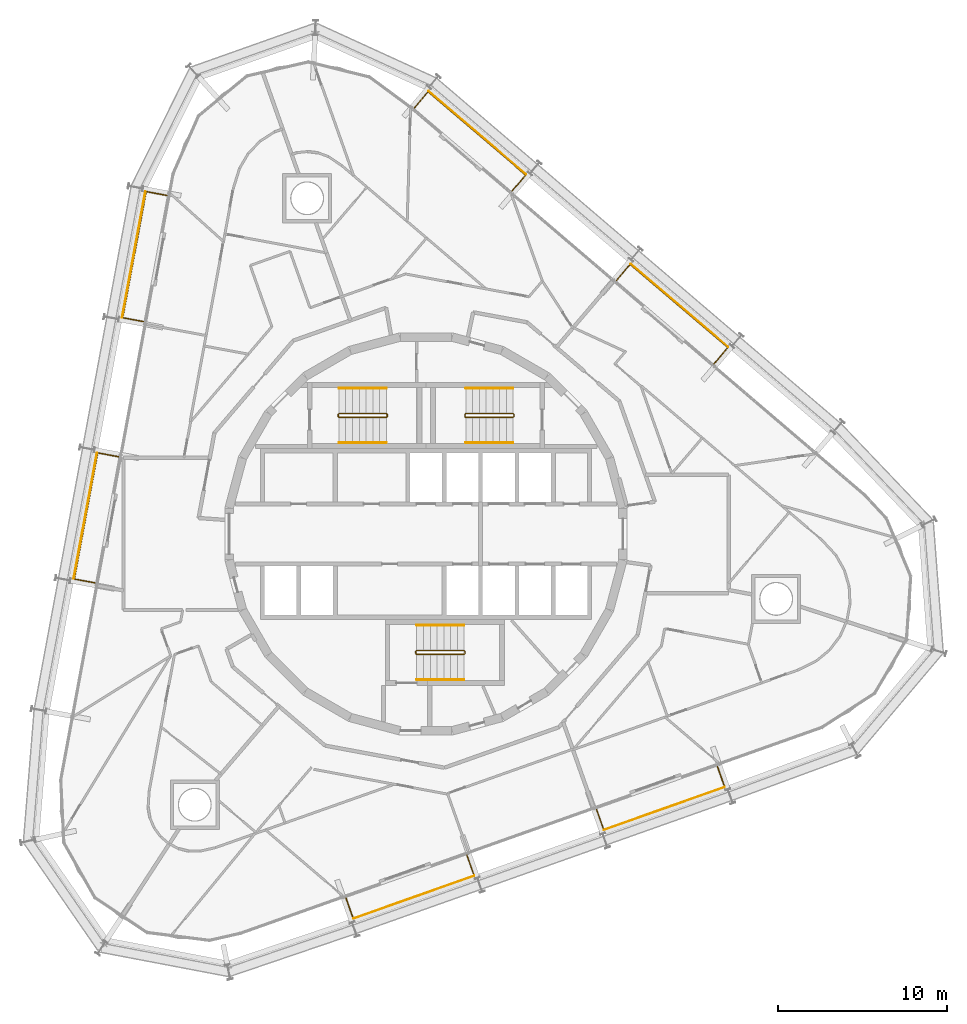
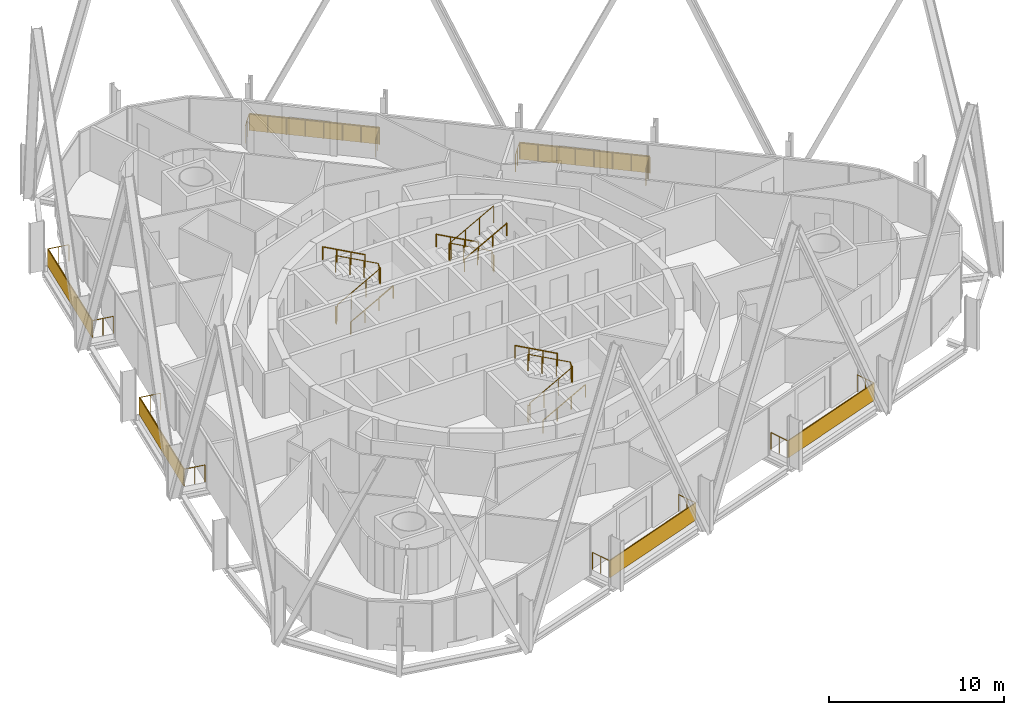
# One storey, part 17 of 17: 15 railings, 6 shading devices.
"""IFC4 building model written with IfcOpenShell, lengths in metres."""

from ifc_helpers import new_model, si_unit, direction, frame, origin, origin_2d, place, context, subcontext, project, spatial, rectangle, circle, extrude, material, layer, layer_set, type_object, element, save


model = new_model("IFC4")

# Units and contexts
model_context = context("Model", 3, precision=1e-05, world=origin(), true_north=direction((0.0, 1.0)))
body_context = subcontext(model_context, "Body", "Model", "MODEL_VIEW")
ifc_project = project(units=[si_unit("LENGTHUNIT", "METRE"), si_unit("AREAUNIT", "SQUARE_METRE"), si_unit("VOLUMEUNIT", "CUBIC_METRE"), si_unit("PLANEANGLEUNIT", "RADIAN"), si_unit("MASSUNIT", "GRAM", prefix="KILO")], contexts=[model_context])

# Site, building, storey
site_placement = place(None, origin())
site = spatial("IfcSite", under=ifc_project, at=site_placement, CompositionType="ELEMENT")
building_placement = place(site_placement, origin())
building = spatial("IfcBuilding", under=site, at=building_placement, Name="Spindle Arch Residences", CompositionType="ELEMENT")
storey_placement = place(building_placement, frame((0.0, 0.0, 165.699951171875)))
storey = spatial("IfcBuildingStorey", under=building, at=storey_placement, Name="L41", CompositionType="ELEMENT", Elevation=165.699951171875)

# Railings
ifc_material_1 = material(Name="Bronze anodised aluminium guard with glass infill", Category="aluminium")
railing_type_1 = type_object("IfcRailingType", Name="Balcony guard 1200", PredefinedType="GUARDRAIL", material=ifc_material_1)
railing_1_placement = place(storey_placement, frame((10.081787109375, -16.2919921875, 0.0)))
element("IfcRailing", 1, at=railing_1_placement, inside=storey, type_object=railing_type_1, Name="Guard L41 bay 1", PredefinedType="GUARDRAIL", context=body_context, shape_type="SweptSolid", body=[
    extrude(circle(Radius=0.02392578125, at=origin_2d()), frame((0.0, 0.0, 1.17578125), z_axis=(0.333749533427, -0.942661789263, 0.0), x_axis=(0.942661789263, 0.333749533427, 0.0)), (0.0, 0.0, 1.0), 1.250244140625),
    extrude(circle(Radius=0.02392578125, at=origin_2d()), frame((0.417236328125, -1.178466796875, 1.17578125), z_axis=(0.942639455571, 0.333812607313, 0.0), x_axis=(-0.333812607313, 0.942639455571, 0.0)), (0.0, 0.0, 1.0), 7.590087890625),
    extrude(circle(Radius=0.02392578125, at=origin_2d()), frame((7.572021484375, 1.355224609375, 1.17578125), z_axis=(-0.333984527886, 0.942578556478, 0.0), x_axis=(-0.942578556478, -0.333984527886, 0.0)), (0.0, 0.0, 1.0), 1.25),
    extrude(circle(Radius=0.02099609375, at=origin_2d()), origin(), (0.0, 0.0, 1.0), 1.15185546875),
    extrude(circle(Radius=0.02099609375, at=origin_2d()), frame((0.20849609375, -0.58935546875, 0.0)), (0.0, 0.0, 1.0), 1.15185546875),
    extrude(circle(Radius=0.02099609375, at=origin_2d()), frame((0.417236328125, -1.178466796875, 0.0)), (0.0, 0.0, 1.0), 1.15185546875),
    extrude(circle(Radius=0.02099609375, at=origin_2d()), frame((1.439453125, -0.81640625, 0.0)), (0.0, 0.0, 1.0), 1.15185546875),
    extrude(circle(Radius=0.02099609375, at=origin_2d()), frame((2.46142578125, -0.45458984375, 0.0)), (0.0, 0.0, 1.0), 1.15185546875),
    extrude(circle(Radius=0.02099609375, at=origin_2d()), frame((3.483642578125, -0.092529296875, 0.0)), (0.0, 0.0, 1.0), 1.15185546875),
    extrude(circle(Radius=0.02099609375, at=origin_2d()), frame((4.505615234375, 0.269287109375, 0.0)), (0.0, 0.0, 1.0), 1.15185546875),
    extrude(circle(Radius=0.02099609375, at=origin_2d()), frame((5.52783203125, 0.63134765625, 0.0)), (0.0, 0.0, 1.0), 1.15185546875),
    extrude(circle(Radius=0.02099609375, at=origin_2d()), frame((6.5498046875, 0.9931640625, 0.0)), (0.0, 0.0, 1.0), 1.15185546875),
    extrude(circle(Radius=0.02099609375, at=origin_2d()), frame((7.572021484375, 1.355224609375, 0.0)), (0.0, 0.0, 1.0), 1.15185546875),
    extrude(circle(Radius=0.02099609375, at=origin_2d()), frame((7.36328125, 1.9443359375, 0.0)), (0.0, 0.0, 1.0), 1.15185546875),
    extrude(circle(Radius=0.02099609375, at=origin_2d()), frame((7.154541015625, 2.533447265625, 0.0)), (0.0, 0.0, 1.0), 1.15185546875),
])
railing_2_placement = place(storey_placement, frame((17.03759765625, 10.07080078125, 0.0)))
element("IfcRailing", 2, at=railing_2_placement, inside=storey, type_object=railing_type_1, Name="Guard L41 bay 7", PredefinedType="GUARDRAIL", context=body_context, shape_type="SweptSolid", body=[
    extrude(circle(Radius=0.02392578125, at=origin_2d()), frame((0.0, 0.0, 1.17578125), z_axis=(0.64945526422, 0.760399802589, 0.0), x_axis=(-0.760399802589, 0.64945526422, 0.0)), (0.0, 0.0, 1.0), 1.25),
    extrude(circle(Radius=0.02392578125, at=origin_2d()), frame((0.811767578125, 0.950439453125, 1.17578125), z_axis=(-0.760397505333, 0.649457953899, 0.0), x_axis=(-0.649457953899, -0.760397505333, 0.0)), (0.0, 0.0, 1.0), 7.590087890625),
    extrude(circle(Radius=0.02392578125, at=origin_2d()), frame((-4.959716796875, 5.8798828125, 1.17578125), z_axis=(-0.64945526422, -0.760399802589, 0.0), x_axis=(0.760399802589, -0.64945526422, 0.0)), (0.0, 0.0, 1.0), 1.25),
    extrude(circle(Radius=0.02099609375, at=origin_2d()), origin(), (0.0, 0.0, 1.0), 1.15185546875),
    extrude(circle(Radius=0.02099609375, at=origin_2d()), frame((0.40576171875, 0.47509765625, 0.0)), (0.0, 0.0, 1.0), 1.15185546875),
    extrude(circle(Radius=0.02099609375, at=origin_2d()), frame((0.811767578125, 0.950439453125, 0.0)), (0.0, 0.0, 1.0), 1.15185546875),
    extrude(circle(Radius=0.02099609375, at=origin_2d()), frame((-0.0126953125, 1.654541015625, 0.0)), (0.0, 0.0, 1.0), 1.15185546875),
    extrude(circle(Radius=0.02099609375, at=origin_2d()), frame((-0.837158203125, 2.35888671875, 0.0)), (0.0, 0.0, 1.0), 1.15185546875),
    extrude(circle(Radius=0.02099609375, at=origin_2d()), frame((-1.66162109375, 3.06298828125, 0.0)), (0.0, 0.0, 1.0), 1.15185546875),
    extrude(circle(Radius=0.02099609375, at=origin_2d()), frame((-2.486328125, 3.767333984375, 0.0)), (0.0, 0.0, 1.0), 1.15185546875),
    extrude(circle(Radius=0.02099609375, at=origin_2d()), frame((-3.310791015625, 4.471435546875, 0.0)), (0.0, 0.0, 1.0), 1.15185546875),
    extrude(circle(Radius=0.02099609375, at=origin_2d()), frame((-4.13525390625, 5.17578125, 0.0)), (0.0, 0.0, 1.0), 1.15185546875),
    extrude(circle(Radius=0.02099609375, at=origin_2d()), frame((-4.959716796875, 5.8798828125, 0.0)), (0.0, 0.0, 1.0), 1.15185546875),
    extrude(circle(Radius=0.02099609375, at=origin_2d()), frame((-5.36572265625, 5.40478515625, 0.0)), (0.0, 0.0, 1.0), 1.15185546875),
    extrude(circle(Radius=0.02099609375, at=origin_2d()), frame((-5.771484375, 4.929443359375, 0.0)), (0.0, 0.0, 1.0), 1.15185546875),
])
railing_3_placement = place(storey_placement, frame((5.083984375, 20.2802734375, 0.0)))
element("IfcRailing", 3, at=railing_3_placement, inside=storey, type_object=railing_type_1, Name="Guard L41 bay 9", PredefinedType="GUARDRAIL", context=body_context, shape_type="SweptSolid", body=[
    extrude(circle(Radius=0.02392578125, at=origin_2d()), frame((0.0, 0.0, 1.17578125), z_axis=(0.64945526422, 0.760399802589, 0.0), x_axis=(-0.760399802589, 0.64945526422, 0.0)), (0.0, 0.0, 1.0), 1.25),
    extrude(circle(Radius=0.02392578125, at=origin_2d()), frame((0.811767578125, 0.950439453125, 1.17578125), z_axis=(-0.760397505333, 0.649457953899, 0.0), x_axis=(-0.649457953899, -0.760397505333, 0.0)), (0.0, 0.0, 1.0), 7.590087890625),
    extrude(circle(Radius=0.02392578125, at=origin_2d()), frame((-4.959716796875, 5.8798828125, 1.17578125), z_axis=(-0.649358812972, -0.760482170741, 0.0), x_axis=(0.760482170741, -0.649358812972, 0.0)), (0.0, 0.0, 1.0), 1.25),
    extrude(circle(Radius=0.02099609375, at=origin_2d()), origin(), (0.0, 0.0, 1.0), 1.15185546875),
    extrude(circle(Radius=0.02099609375, at=origin_2d()), frame((0.40576171875, 0.47509765625, 0.0)), (0.0, 0.0, 1.0), 1.15185546875),
    extrude(circle(Radius=0.02099609375, at=origin_2d()), frame((0.811767578125, 0.950439453125, 0.0)), (0.0, 0.0, 1.0), 1.15185546875),
    extrude(circle(Radius=0.02099609375, at=origin_2d()), frame((-0.0126953125, 1.654541015625, 0.0)), (0.0, 0.0, 1.0), 1.15185546875),
    extrude(circle(Radius=0.02099609375, at=origin_2d()), frame((-0.837158203125, 2.35888671875, 0.0)), (0.0, 0.0, 1.0), 1.15185546875),
    extrude(circle(Radius=0.02099609375, at=origin_2d()), frame((-1.66162109375, 3.06298828125, 0.0)), (0.0, 0.0, 1.0), 1.15185546875),
    extrude(circle(Radius=0.02099609375, at=origin_2d()), frame((-2.486328125, 3.767333984375, 0.0)), (0.0, 0.0, 1.0), 1.15185546875),
    extrude(circle(Radius=0.02099609375, at=origin_2d()), frame((-3.310791015625, 4.471435546875, 0.0)), (0.0, 0.0, 1.0), 1.15185546875),
    extrude(circle(Radius=0.02099609375, at=origin_2d()), frame((-4.13525390625, 5.17578125, 0.0)), (0.0, 0.0, 1.0), 1.15185546875),
    extrude(circle(Radius=0.02099609375, at=origin_2d()), frame((-4.959716796875, 5.8798828125, 0.0)), (0.0, 0.0, 1.0), 1.15185546875),
    extrude(circle(Radius=0.02099609375, at=origin_2d()), frame((-5.36572265625, 5.404541015625, 0.0)), (0.0, 0.0, 1.0), 1.15185546875),
    extrude(circle(Radius=0.02099609375, at=origin_2d()), frame((-5.771484375, 4.92919921875, 0.0)), (0.0, 0.0, 1.0), 1.15185546875),
])
railing_4_placement = place(storey_placement, frame((-15.33056640625, 20.024169921875, 0.0)))
element("IfcRailing", 4, at=railing_4_placement, inside=storey, type_object=railing_type_1, Name="Guard L41 bay 13", PredefinedType="GUARDRAIL", context=body_context, shape_type="SweptSolid", body=[
    extrude(circle(Radius=0.02392578125, at=origin_2d()), frame((0.0, 0.0, 1.17578125), z_axis=(-0.983254793894, 0.182236138797, 0.0), x_axis=(-0.182236138797, -0.983254793894, 0.0)), (0.0, 0.0, 1.0), 1.25),
    extrude(circle(Radius=0.02392578125, at=origin_2d()), frame((-1.22900390625, 0.227783203125, 1.17578125), z_axis=(-0.182252818169, -0.983251702398, 0.0), x_axis=(0.983251702398, -0.182252818169, 0.0)), (0.0, 0.0, 1.0), 7.590087890625),
    extrude(circle(Radius=0.02392578125, at=origin_2d()), frame((-2.6123046875, -7.235107421875, 1.17578125), z_axis=(0.983261278697, -0.182201146579, 0.0), x_axis=(0.182201146579, 0.983261278697, 0.0)), (0.0, 0.0, 1.0), 1.250244140625),
    extrude(circle(Radius=0.02099609375, at=origin_2d()), origin(), (0.0, 0.0, 1.0), 1.15185546875),
    extrude(circle(Radius=0.02099609375, at=origin_2d()), frame((-0.614501953125, 0.11376953125, 0.0)), (0.0, 0.0, 1.0), 1.15185546875),
    extrude(circle(Radius=0.02099609375, at=origin_2d()), frame((-1.22900390625, 0.227783203125, 0.0)), (0.0, 0.0, 1.0), 1.15185546875),
    extrude(circle(Radius=0.02099609375, at=origin_2d()), frame((-1.426513671875, -0.83837890625, 0.0)), (0.0, 0.0, 1.0), 1.15185546875),
    extrude(circle(Radius=0.02099609375, at=origin_2d()), frame((-1.624267578125, -1.904541015625, 0.0)), (0.0, 0.0, 1.0), 1.15185546875),
    extrude(circle(Radius=0.02099609375, at=origin_2d()), frame((-1.82177734375, -2.970703125, 0.0)), (0.0, 0.0, 1.0), 1.15185546875),
    extrude(circle(Radius=0.02099609375, at=origin_2d()), frame((-2.01953125, -4.03662109375, 0.0)), (0.0, 0.0, 1.0), 1.15185546875),
    extrude(circle(Radius=0.02099609375, at=origin_2d()), frame((-2.217041015625, -5.102783203125, 0.0)), (0.0, 0.0, 1.0), 1.15185546875),
    extrude(circle(Radius=0.02099609375, at=origin_2d()), frame((-2.414794921875, -6.1689453125, 0.0)), (0.0, 0.0, 1.0), 1.15185546875),
    extrude(circle(Radius=0.02099609375, at=origin_2d()), frame((-2.6123046875, -7.235107421875, 0.0)), (0.0, 0.0, 1.0), 1.15185546875),
    extrude(circle(Radius=0.02099609375, at=origin_2d()), frame((-1.99755859375, -7.34912109375, 0.0)), (0.0, 0.0, 1.0), 1.15185546875),
    extrude(circle(Radius=0.02099609375, at=origin_2d()), frame((-1.383056640625, -7.462890625, 0.0)), (0.0, 0.0, 1.0), 1.15185546875),
])
railing_5_placement = place(storey_placement, frame((-18.1953125, 4.5673828125, 0.0)))
element("IfcRailing", 5, at=railing_5_placement, inside=storey, type_object=railing_type_1, Name="Guard L41 bay 15", PredefinedType="GUARDRAIL", context=body_context, shape_type="SweptSolid", body=[
    extrude(circle(Radius=0.02392578125, at=origin_2d()), frame((0.0, 0.0, 1.17578125), z_axis=(-0.983254793894, 0.182236138797, 0.0), x_axis=(-0.182236138797, -0.983254793894, 0.0)), (0.0, 0.0, 1.0), 1.25),
    extrude(circle(Radius=0.02392578125, at=origin_2d()), frame((-1.22900390625, 0.227783203125, 1.17578125), z_axis=(-0.18224705418, -0.983252770778, 0.0), x_axis=(0.983252770778, -0.18224705418, 0.0)), (0.0, 0.0, 1.0), 7.59033203125),
    extrude(circle(Radius=0.02392578125, at=origin_2d()), frame((-2.6123046875, -7.2353515625, 1.17578125), z_axis=(0.983261278697, -0.182201146579, 0.0), x_axis=(0.182201146579, 0.983261278697, 0.0)), (0.0, 0.0, 1.0), 1.250244140625),
    extrude(circle(Radius=0.02099609375, at=origin_2d()), origin(), (0.0, 0.0, 1.0), 1.15185546875),
    extrude(circle(Radius=0.02099609375, at=origin_2d()), frame((-0.614501953125, 0.11376953125, 0.0)), (0.0, 0.0, 1.0), 1.15185546875),
    extrude(circle(Radius=0.02099609375, at=origin_2d()), frame((-1.22900390625, 0.227783203125, 0.0)), (0.0, 0.0, 1.0), 1.15185546875),
    extrude(circle(Radius=0.02099609375, at=origin_2d()), frame((-1.426513671875, -0.83837890625, 0.0)), (0.0, 0.0, 1.0), 1.15185546875),
    extrude(circle(Radius=0.02099609375, at=origin_2d()), frame((-1.624267578125, -1.904541015625, 0.0)), (0.0, 0.0, 1.0), 1.15185546875),
    extrude(circle(Radius=0.02099609375, at=origin_2d()), frame((-1.82177734375, -2.970703125, 0.0)), (0.0, 0.0, 1.0), 1.15185546875),
    extrude(circle(Radius=0.02099609375, at=origin_2d()), frame((-2.01953125, -4.036865234375, 0.0)), (0.0, 0.0, 1.0), 1.15185546875),
    extrude(circle(Radius=0.02099609375, at=origin_2d()), frame((-2.217041015625, -5.10302734375, 0.0)), (0.0, 0.0, 1.0), 1.15185546875),
    extrude(circle(Radius=0.02099609375, at=origin_2d()), frame((-2.414794921875, -6.169189453125, 0.0)), (0.0, 0.0, 1.0), 1.15185546875),
    extrude(circle(Radius=0.02099609375, at=origin_2d()), frame((-2.6123046875, -7.2353515625, 0.0)), (0.0, 0.0, 1.0), 1.15185546875),
    extrude(circle(Radius=0.02099609375, at=origin_2d()), frame((-1.99755859375, -7.34912109375, 0.0)), (0.0, 0.0, 1.0), 1.15185546875),
    extrude(circle(Radius=0.02099609375, at=origin_2d()), frame((-1.383056640625, -7.463134765625, 0.0)), (0.0, 0.0, 1.0), 1.15185546875),
])
railing_6_placement = place(storey_placement, frame((-4.73681640625, -21.53955078125, 0.0)))
element("IfcRailing", 6, at=railing_6_placement, inside=storey, type_object=railing_type_1, Name="Guard L41 bay 21", PredefinedType="GUARDRAIL", context=body_context, shape_type="SweptSolid", body=[
    extrude(circle(Radius=0.02392578125, at=origin_2d()), frame((0.0, 0.0, 1.17578125), z_axis=(0.333810984592, -0.942640030216, 0.0), x_axis=(0.942640030216, 0.333810984592, 0.0)), (0.0, 0.0, 1.0), 1.25),
    extrude(circle(Radius=0.02392578125, at=origin_2d()), frame((0.417236328125, -1.17822265625, 1.17578125), z_axis=(0.942649576572, 0.333784025663, 0.0), x_axis=(-0.333784025663, 0.942649576572, 0.0)), (0.0, 0.0, 1.0), 7.590087890625),
    extrude(circle(Radius=0.02392578125, at=origin_2d()), frame((7.572021484375, 1.355224609375, 1.17578125), z_axis=(-0.333749533427, 0.942661789263, 0.0), x_axis=(-0.942661789263, -0.333749533427, 0.0)), (0.0, 0.0, 1.0), 1.250244140625),
    extrude(circle(Radius=0.02099609375, at=origin_2d()), origin(), (0.0, 0.0, 1.0), 1.15185546875),
    extrude(circle(Radius=0.02099609375, at=origin_2d()), frame((0.20849609375, -0.589111328125, 0.0)), (0.0, 0.0, 1.0), 1.15185546875),
    extrude(circle(Radius=0.02099609375, at=origin_2d()), frame((0.417236328125, -1.17822265625, 0.0)), (0.0, 0.0, 1.0), 1.15185546875),
    extrude(circle(Radius=0.02099609375, at=origin_2d()), frame((1.439453125, -0.81640625, 0.0)), (0.0, 0.0, 1.0), 1.15185546875),
    extrude(circle(Radius=0.02099609375, at=origin_2d()), frame((2.46142578125, -0.454345703125, 0.0)), (0.0, 0.0, 1.0), 1.15185546875),
    extrude(circle(Radius=0.02099609375, at=origin_2d()), frame((3.483642578125, -0.092529296875, 0.0)), (0.0, 0.0, 1.0), 1.15185546875),
    extrude(circle(Radius=0.02099609375, at=origin_2d()), frame((4.505615234375, 0.26953125, 0.0)), (0.0, 0.0, 1.0), 1.15185546875),
    extrude(circle(Radius=0.02099609375, at=origin_2d()), frame((5.52783203125, 0.63134765625, 0.0)), (0.0, 0.0, 1.0), 1.15185546875),
    extrude(circle(Radius=0.02099609375, at=origin_2d()), frame((6.5498046875, 0.993408203125, 0.0)), (0.0, 0.0, 1.0), 1.15185546875),
    extrude(circle(Radius=0.02099609375, at=origin_2d()), frame((7.572021484375, 1.355224609375, 0.0)), (0.0, 0.0, 1.0), 1.15185546875),
    extrude(circle(Radius=0.02099609375, at=origin_2d()), frame((7.36328125, 1.9443359375, 0.0)), (0.0, 0.0, 1.0), 1.15185546875),
    extrude(circle(Radius=0.02099609375, at=origin_2d()), frame((7.15478515625, 2.53369140625, 0.0)), (0.0, 0.0, 1.0), 1.15185546875),
])

# Shading devices
ifc_material_2 = material(Name="Bronze perforated cobogo screen")
ifc_layer = layer(ifc_material_2, 0.0390625)
ifc_layer_set = layer_set([ifc_layer], Name="Cobogo screen 1200")
shading_device_type = type_object("IfcShadingDeviceType", Name="Cobogo screen 1200", PredefinedType="USERDEFINED", material=ifc_layer_set)
for number, where, z_axis, x_axis, name in (
    (7, (14.08984375, -16.24169921875, 0.0), (0.0, 0.0, 1.0), (0.942641491092, 0.333806859234, 0.0), "Cobogo screen L41 bay 1"),
    (8, (14.989990234375, 13.516845703125, 0.0), (0.0, 0.0, 1.0), (-0.7604059656, 0.64944804833, 0.0), "Cobogo screen L41 bay 7"),
    (9, (3.036376953125, 23.726318359375, 0.0), (0.0, 0.0, 1.0), (-0.7604059656, 0.64944804833, 0.0), "Cobogo screen L41 bay 9"),
    (10, (-17.291015625, 16.52783203125, 0.0), (0.0, 0.0, 1.0), (-0.182235525492, -0.983254907564, 0.0), "Cobogo screen L41 bay 13"),
    (11, (-20.15576171875, 1.071044921875, 0.0), (0.0, 0.0, 1.0), (-0.182235525492, -0.983254907564, 0.0), "Cobogo screen L41 bay 15"),
    (12, (-0.728515625, -21.4892578125, 0.0), (0.0, 0.0, 1.0), (0.942641491092, 0.333806859234, 0.0), "Cobogo screen L41 bay 21"),
):
    element("IfcShadingDevice", number, at=place(storey_placement, frame(where, z_axis=z_axis, x_axis=x_axis)), inside=storey, type_object=shading_device_type, Name=name, ObjectType="SCREEN", PredefinedType="USERDEFINED", context=body_context, shape_type="SweptSolid", body=[
        extrude(rectangle(XDim=7.590087890625, YDim=0.0390625, at=origin_2d()), origin(), (0.0, 0.0, 1.0), 1.199951171875),
    ])

# Railings
ifc_material_3 = material(Name="Steel, painted", Category="steel")
railing_type_2 = type_object("IfcRailingType", Name="Stair guard 1100", PredefinedType="GUARDRAIL", material=ifc_material_3)
railing_7_placement = place(storey_placement, frame((5.14990234375, 6.89990234375, 3.5)))
element("IfcRailing", 13, at=railing_7_placement, inside=storey, type_object=railing_type_2, Name="L41 ST1 stair guard 1", PredefinedType="GUARDRAIL", context=body_context, shape_type="SweptSolid", body=[
    extrude(circle(Radius=0.02392578125, at=origin_2d()), frame((0.0, 0.0, 1.17578125), z_axis=(-0.877357048833, 0.0, -0.479838106931), x_axis=(0.0, -1.0, 0.0)), (0.0, 0.0, 1.0), 3.191162109375),
    extrude(circle(Radius=0.02392578125, at=origin_2d()), frame((-2.7998046875, 0.0, -0.35546875), z_axis=(-0.217683172539, 0.217683172539, -0.951434744366), x_axis=(-0.707106781187, -0.707106781187, 0.0)), (0.0, 0.0, 1.0), 0.22998046875),
    extrude(circle(Radius=0.02392578125, at=origin_2d()), frame((-2.849853515625, 0.050048828125, -0.57421875), z_axis=(0.0, 1.0, 0.0), x_axis=(-1.0, 0.0, 0.0)), (0.0, 0.0, 1.0), 0.1201171875),
    extrude(circle(Radius=0.02392578125, at=origin_2d()), frame((-2.849853515625, 0.170166015625, -0.57421875), z_axis=(0.707106781187, 0.707106781187, 0.0), x_axis=(-0.707106781187, 0.707106781187, 0.0)), (0.0, 0.0, 1.0), 0.07080078125),
    extrude(circle(Radius=0.02392578125, at=origin_2d()), frame((-2.7998046875, 0.22021484375, -0.57421875), z_axis=(0.877357048833, 0.0, -0.479838106931), x_axis=(0.0, 1.0, 0.0)), (0.0, 0.0, 1.0), 3.191162109375),
    extrude(circle(Radius=0.02392578125, at=origin_2d()), frame((0.0, 0.22021484375, -2.10546875), z_axis=(0.217683172539, -0.217683172539, -0.951434744366), x_axis=(0.707106781187, 0.707106781187, 0.0)), (0.0, 0.0, 1.0), 0.22998046875),
    extrude(circle(Radius=0.02392578125, at=origin_2d()), frame((0.050048828125, 0.170166015625, -2.32421875), z_axis=(0.0, -1.0, 0.0), x_axis=(1.0, 0.0, 0.0)), (0.0, 0.0, 1.0), 0.1201171875),
    extrude(circle(Radius=0.02099609375, at=origin_2d()), origin(), (0.0, 0.0, 1.0), 1.15185546875),
    extrude(circle(Radius=0.02099609375, at=origin_2d()), frame((-0.933349609375, 0.0, -0.510498046875)), (0.0, 0.0, 1.0), 1.15185546875),
    extrude(circle(Radius=0.02099609375, at=origin_2d()), frame((-1.866455078125, 0.0, -1.020751953125)), (0.0, 0.0, 1.0), 1.15185546875),
    extrude(circle(Radius=0.02099609375, at=origin_2d()), frame((-2.7998046875, 0.0, -1.53125)), (0.0, 0.0, 1.0), 1.15185546875),
    extrude(circle(Radius=0.02099609375, at=origin_2d()), frame((-2.849853515625, 0.050048828125, -1.75)), (0.0, 0.0, 1.0), 1.15185546875),
    extrude(circle(Radius=0.02099609375, at=origin_2d()), frame((-2.849853515625, 0.170166015625, -1.75)), (0.0, 0.0, 1.0), 1.15185546875),
    extrude(circle(Radius=0.02099609375, at=origin_2d()), frame((-2.7998046875, 0.22021484375, -1.75)), (0.0, 0.0, 1.0), 1.15185546875),
    extrude(circle(Radius=0.02099609375, at=origin_2d()), frame((-1.866455078125, 0.22021484375, -2.260498046875)), (0.0, 0.0, 1.0), 1.15185546875),
    extrude(circle(Radius=0.02099609375, at=origin_2d()), frame((-0.933349609375, 0.22021484375, -2.770751953125)), (0.0, 0.0, 1.0), 1.15185546875),
    extrude(circle(Radius=0.02099609375, at=origin_2d()), frame((0.0, 0.22021484375, -3.28125)), (0.0, 0.0, 1.0), 1.15185546875),
    extrude(circle(Radius=0.02099609375, at=origin_2d()), frame((0.050048828125, 0.170166015625, -3.5)), (0.0, 0.0, 1.0), 1.15185546875),
    extrude(circle(Radius=0.02099609375, at=origin_2d()), frame((0.050048828125, 0.050048828125, -3.5)), (0.0, 0.0, 1.0), 1.15185546875),
])
railing_8_placement = place(storey_placement, frame((-5.14990234375, 7.1201171875, 3.5)))
element("IfcRailing", 14, at=railing_8_placement, inside=storey, type_object=railing_type_2, Name="L41 ST2 stair guard 1", PredefinedType="GUARDRAIL", context=body_context, shape_type="SweptSolid", body=[
    extrude(circle(Radius=0.02392578125, at=origin_2d()), frame((0.0, 0.0, 1.17578125), z_axis=(0.877357048833, 0.0, -0.479838106931), x_axis=(0.0, 1.0, 0.0)), (0.0, 0.0, 1.0), 3.191162109375),
    extrude(circle(Radius=0.02392578125, at=origin_2d()), frame((2.7998046875, 0.0, -0.35546875), z_axis=(0.217683172539, -0.217683172539, -0.951434744366), x_axis=(0.707106781187, 0.707106781187, 0.0)), (0.0, 0.0, 1.0), 0.22998046875),
    extrude(circle(Radius=0.02392578125, at=origin_2d()), frame((2.849853515625, -0.050048828125, -0.57421875), z_axis=(0.0, -1.0, 0.0), x_axis=(1.0, 0.0, 0.0)), (0.0, 0.0, 1.0), 0.1201171875),
    extrude(circle(Radius=0.02392578125, at=origin_2d()), frame((2.849853515625, -0.170166015625, -0.57421875), z_axis=(-0.707106781187, -0.707106781187, 0.0), x_axis=(0.707106781187, -0.707106781187, 0.0)), (0.0, 0.0, 1.0), 0.07080078125),
    extrude(circle(Radius=0.02392578125, at=origin_2d()), frame((2.7998046875, -0.22021484375, -0.57421875), z_axis=(-0.877357048833, 0.0, -0.479838106931), x_axis=(0.0, -1.0, 0.0)), (0.0, 0.0, 1.0), 3.191162109375),
    extrude(circle(Radius=0.02392578125, at=origin_2d()), frame((0.0, -0.22021484375, -2.10546875), z_axis=(-0.217683172539, 0.217683172539, -0.951434744366), x_axis=(-0.707106781187, -0.707106781187, 0.0)), (0.0, 0.0, 1.0), 0.22998046875),
    extrude(circle(Radius=0.02392578125, at=origin_2d()), frame((-0.050048828125, -0.170166015625, -2.32421875), z_axis=(0.0, 1.0, 0.0), x_axis=(-1.0, 0.0, 0.0)), (0.0, 0.0, 1.0), 0.1201171875),
    extrude(circle(Radius=0.02099609375, at=origin_2d()), origin(), (0.0, 0.0, 1.0), 1.15185546875),
    extrude(circle(Radius=0.02099609375, at=origin_2d()), frame((0.933349609375, 0.0, -0.510498046875)), (0.0, 0.0, 1.0), 1.15185546875),
    extrude(circle(Radius=0.02099609375, at=origin_2d()), frame((1.866455078125, 0.0, -1.020751953125)), (0.0, 0.0, 1.0), 1.15185546875),
    extrude(circle(Radius=0.02099609375, at=origin_2d()), frame((2.7998046875, 0.0, -1.53125)), (0.0, 0.0, 1.0), 1.15185546875),
    extrude(circle(Radius=0.02099609375, at=origin_2d()), frame((2.849853515625, -0.050048828125, -1.75)), (0.0, 0.0, 1.0), 1.15185546875),
    extrude(circle(Radius=0.02099609375, at=origin_2d()), frame((2.849853515625, -0.170166015625, -1.75)), (0.0, 0.0, 1.0), 1.15185546875),
    extrude(circle(Radius=0.02099609375, at=origin_2d()), frame((2.7998046875, -0.22021484375, -1.75)), (0.0, 0.0, 1.0), 1.15185546875),
    extrude(circle(Radius=0.02099609375, at=origin_2d()), frame((1.866455078125, -0.22021484375, -2.260498046875)), (0.0, 0.0, 1.0), 1.15185546875),
    extrude(circle(Radius=0.02099609375, at=origin_2d()), frame((0.933349609375, -0.22021484375, -2.770751953125)), (0.0, 0.0, 1.0), 1.15185546875),
    extrude(circle(Radius=0.02099609375, at=origin_2d()), frame((0.0, -0.22021484375, -3.28125)), (0.0, 0.0, 1.0), 1.15185546875),
    extrude(circle(Radius=0.02099609375, at=origin_2d()), frame((-0.050048828125, -0.170166015625, -3.5)), (0.0, 0.0, 1.0), 1.15185546875),
    extrude(circle(Radius=0.02099609375, at=origin_2d()), frame((-0.050048828125, -0.050048828125, -3.5)), (0.0, 0.0, 1.0), 1.15185546875),
])
railing_9_placement = place(storey_placement, frame((-0.550048828125, -6.89990234375, 3.5)))
element("IfcRailing", 15, at=railing_9_placement, inside=storey, type_object=railing_type_2, Name="L41 ST3 stair guard 1", PredefinedType="GUARDRAIL", context=body_context, shape_type="SweptSolid", body=[
    extrude(circle(Radius=0.02392578125, at=origin_2d()), frame((0.0, 0.0, 1.17578125), z_axis=(0.877374661878, 0.0, -0.479805901063), x_axis=(0.0, 1.0, 0.0)), (0.0, 0.0, 1.0), 3.19140625),
    extrude(circle(Radius=0.02392578125, at=origin_2d()), frame((2.800048828125, 0.0, -0.35546875), z_axis=(0.217683172539, -0.217683172539, -0.951434744366), x_axis=(0.707106781187, 0.707106781187, 0.0)), (0.0, 0.0, 1.0), 0.22998046875),
    extrude(circle(Radius=0.02392578125, at=origin_2d()), frame((2.85009765625, -0.050048828125, -0.57421875), z_axis=(0.0, -1.0, 0.0), x_axis=(1.0, 0.0, 0.0)), (0.0, 0.0, 1.0), 0.1201171875),
    extrude(circle(Radius=0.02392578125, at=origin_2d()), frame((2.85009765625, -0.170166015625, -0.57421875), z_axis=(-0.707106781187, -0.707106781187, 0.0), x_axis=(0.707106781187, -0.707106781187, 0.0)), (0.0, 0.0, 1.0), 0.07080078125),
    extrude(circle(Radius=0.02392578125, at=origin_2d()), frame((2.800048828125, -0.22021484375, -0.57421875), z_axis=(-0.877374661878, 0.0, -0.479805901063), x_axis=(0.0, -1.0, 0.0)), (0.0, 0.0, 1.0), 3.19140625),
    extrude(circle(Radius=0.02392578125, at=origin_2d()), frame((0.0, -0.22021484375, -2.10546875), z_axis=(-0.217683172539, 0.217683172539, -0.951434744366), x_axis=(-0.707106781187, -0.707106781187, 0.0)), (0.0, 0.0, 1.0), 0.22998046875),
    extrude(circle(Radius=0.02392578125, at=origin_2d()), frame((-0.050048828125, -0.170166015625, -2.32421875), z_axis=(0.0, 1.0, 0.0), x_axis=(-1.0, 0.0, 0.0)), (0.0, 0.0, 1.0), 0.1201171875),
    extrude(circle(Radius=0.02099609375, at=origin_2d()), origin(), (0.0, 0.0, 1.0), 1.15185546875),
    extrude(circle(Radius=0.02099609375, at=origin_2d()), frame((0.933349609375, 0.0, -0.510498046875)), (0.0, 0.0, 1.0), 1.15185546875),
    extrude(circle(Radius=0.02099609375, at=origin_2d()), frame((1.86669921875, 0.0, -1.020751953125)), (0.0, 0.0, 1.0), 1.15185546875),
    extrude(circle(Radius=0.02099609375, at=origin_2d()), frame((2.800048828125, 0.0, -1.53125)), (0.0, 0.0, 1.0), 1.15185546875),
    extrude(circle(Radius=0.02099609375, at=origin_2d()), frame((2.85009765625, -0.050048828125, -1.75)), (0.0, 0.0, 1.0), 1.15185546875),
    extrude(circle(Radius=0.02099609375, at=origin_2d()), frame((2.85009765625, -0.170166015625, -1.75)), (0.0, 0.0, 1.0), 1.15185546875),
    extrude(circle(Radius=0.02099609375, at=origin_2d()), frame((2.800048828125, -0.22021484375, -1.75)), (0.0, 0.0, 1.0), 1.15185546875),
    extrude(circle(Radius=0.02099609375, at=origin_2d()), frame((1.86669921875, -0.22021484375, -2.260498046875)), (0.0, 0.0, 1.0), 1.15185546875),
    extrude(circle(Radius=0.02099609375, at=origin_2d()), frame((0.933349609375, -0.22021484375, -2.770751953125)), (0.0, 0.0, 1.0), 1.15185546875),
    extrude(circle(Radius=0.02099609375, at=origin_2d()), frame((0.0, -0.22021484375, -3.28125)), (0.0, 0.0, 1.0), 1.15185546875),
    extrude(circle(Radius=0.02099609375, at=origin_2d()), frame((-0.050048828125, -0.170166015625, -3.5)), (0.0, 0.0, 1.0), 1.15185546875),
    extrude(circle(Radius=0.02099609375, at=origin_2d()), frame((-0.050048828125, -0.050048828125, -3.5)), (0.0, 0.0, 1.0), 1.15185546875),
])
ifc_material_4 = material(Name="Steel, painted", Category="steel")
railing_type_3 = type_object("IfcRailingType", Name="Stair handrail 900", PredefinedType="HANDRAIL", material=ifc_material_4)
railing_10_placement = place(storey_placement, frame((5.14990234375, 8.6201171875, 0.21875)))
element("IfcRailing", 16, at=railing_10_placement, inside=storey, type_object=railing_type_3, Name="L41 ST1 stair handrail 1", PredefinedType="HANDRAIL", context=body_context, shape_type="SweptSolid", body=[
    extrude(circle(Radius=0.02392578125, at=origin_2d()), frame((0.0, 0.0, 0.8759765625), z_axis=(-0.877357048833, 0.0, 0.479838106931), x_axis=(0.0, -1.0, 0.0)), (0.0, 0.0, 1.0), 3.191162109375),
    extrude(circle(Radius=0.02099609375, at=origin_2d()), origin(), (0.0, 0.0, 1.0), 0.851806640625),
    extrude(circle(Radius=0.02099609375, at=origin_2d()), frame((-0.933349609375, 0.0, 0.510498046875)), (0.0, 0.0, 1.0), 0.851806640625),
    extrude(circle(Radius=0.02099609375, at=origin_2d()), frame((-1.866455078125, 0.0, 1.020751953125)), (0.0, 0.0, 1.0), 0.851806640625),
    extrude(circle(Radius=0.02099609375, at=origin_2d()), frame((-2.7998046875, 0.0, 1.53125)), (0.0, 0.0, 1.0), 0.851806640625),
])
for number, where, name in (
    (17, (2.35009765625, 5.39990234375, 1.96875), "L41 ST1 stair handrail 2"),
    (18, (-5.14990234375, 5.39990234375, 0.21875), "L41 ST2 stair handrail 1"),
):
    element("IfcRailing", number, at=place(storey_placement, frame(where)), inside=storey, type_object=railing_type_3, Name=name, PredefinedType="HANDRAIL", context=body_context, shape_type="SweptSolid", body=[
        extrude(circle(Radius=0.02392578125, at=origin_2d()), frame((0.0, 0.0, 0.8759765625), z_axis=(0.877357048833, 0.0, 0.479838106931), x_axis=(0.0, 1.0, 0.0)), (0.0, 0.0, 1.0), 3.191162109375),
        extrude(circle(Radius=0.02099609375, at=origin_2d()), origin(), (0.0, 0.0, 1.0), 0.851806640625),
        extrude(circle(Radius=0.02099609375, at=origin_2d()), frame((0.933349609375, 0.0, 0.510498046875)), (0.0, 0.0, 1.0), 0.851806640625),
        extrude(circle(Radius=0.02099609375, at=origin_2d()), frame((1.866455078125, 0.0, 1.020751953125)), (0.0, 0.0, 1.0), 0.851806640625),
        extrude(circle(Radius=0.02099609375, at=origin_2d()), frame((2.7998046875, 0.0, 1.53125)), (0.0, 0.0, 1.0), 0.851806640625),
    ])
railing_11_placement = place(storey_placement, frame((-2.35009765625, 8.6201171875, 1.96875)))
element("IfcRailing", 19, at=railing_11_placement, inside=storey, type_object=railing_type_3, Name="L41 ST2 stair handrail 2", PredefinedType="HANDRAIL", context=body_context, shape_type="SweptSolid", body=[
    extrude(circle(Radius=0.02392578125, at=origin_2d()), frame((0.0, 0.0, 0.8759765625), z_axis=(-0.877357048833, 0.0, 0.479838106931), x_axis=(0.0, -1.0, 0.0)), (0.0, 0.0, 1.0), 3.191162109375),
    extrude(circle(Radius=0.02099609375, at=origin_2d()), origin(), (0.0, 0.0, 1.0), 0.851806640625),
    extrude(circle(Radius=0.02099609375, at=origin_2d()), frame((-0.933349609375, 0.0, 0.510498046875)), (0.0, 0.0, 1.0), 0.851806640625),
    extrude(circle(Radius=0.02099609375, at=origin_2d()), frame((-1.866455078125, 0.0, 1.020751953125)), (0.0, 0.0, 1.0), 0.851806640625),
    extrude(circle(Radius=0.02099609375, at=origin_2d()), frame((-2.7998046875, 0.0, 1.53125)), (0.0, 0.0, 1.0), 0.851806640625),
])
railing_12_placement = place(storey_placement, frame((-0.550048828125, -8.6201171875, 0.21875)))
element("IfcRailing", 20, at=railing_12_placement, inside=storey, type_object=railing_type_3, Name="L41 ST3 stair handrail 1", PredefinedType="HANDRAIL", context=body_context, shape_type="SweptSolid", body=[
    extrude(circle(Radius=0.02392578125, at=origin_2d()), frame((0.0, 0.0, 0.8759765625), z_axis=(0.877374661878, 0.0, 0.479805901063), x_axis=(0.0, 1.0, 0.0)), (0.0, 0.0, 1.0), 3.19140625),
    extrude(circle(Radius=0.02099609375, at=origin_2d()), origin(), (0.0, 0.0, 1.0), 0.851806640625),
    extrude(circle(Radius=0.02099609375, at=origin_2d()), frame((0.933349609375, 0.0, 0.510498046875)), (0.0, 0.0, 1.0), 0.851806640625),
    extrude(circle(Radius=0.02099609375, at=origin_2d()), frame((1.86669921875, 0.0, 1.020751953125)), (0.0, 0.0, 1.0), 0.851806640625),
    extrude(circle(Radius=0.02099609375, at=origin_2d()), frame((2.800048828125, 0.0, 1.53125)), (0.0, 0.0, 1.0), 0.851806640625),
])
railing_13_placement = place(storey_placement, frame((2.25, -5.39990234375, 1.96875)))
element("IfcRailing", 21, at=railing_13_placement, inside=storey, type_object=railing_type_3, Name="L41 ST3 stair handrail 2", PredefinedType="HANDRAIL", context=body_context, shape_type="SweptSolid", body=[
    extrude(circle(Radius=0.02392578125, at=origin_2d()), frame((0.0, 0.0, 0.8759765625), z_axis=(-0.877374661878, 0.0, 0.479805901063), x_axis=(0.0, -1.0, 0.0)), (0.0, 0.0, 1.0), 3.19140625),
    extrude(circle(Radius=0.02099609375, at=origin_2d()), origin(), (0.0, 0.0, 1.0), 0.851806640625),
    extrude(circle(Radius=0.02099609375, at=origin_2d()), frame((-0.933349609375, 0.0, 0.510498046875)), (0.0, 0.0, 1.0), 0.851806640625),
    extrude(circle(Radius=0.02099609375, at=origin_2d()), frame((-1.86669921875, 0.0, 1.020751953125)), (0.0, 0.0, 1.0), 0.851806640625),
    extrude(circle(Radius=0.02099609375, at=origin_2d()), frame((-2.800048828125, 0.0, 1.53125)), (0.0, 0.0, 1.0), 0.851806640625),
])

save(model, "model.ifc")
